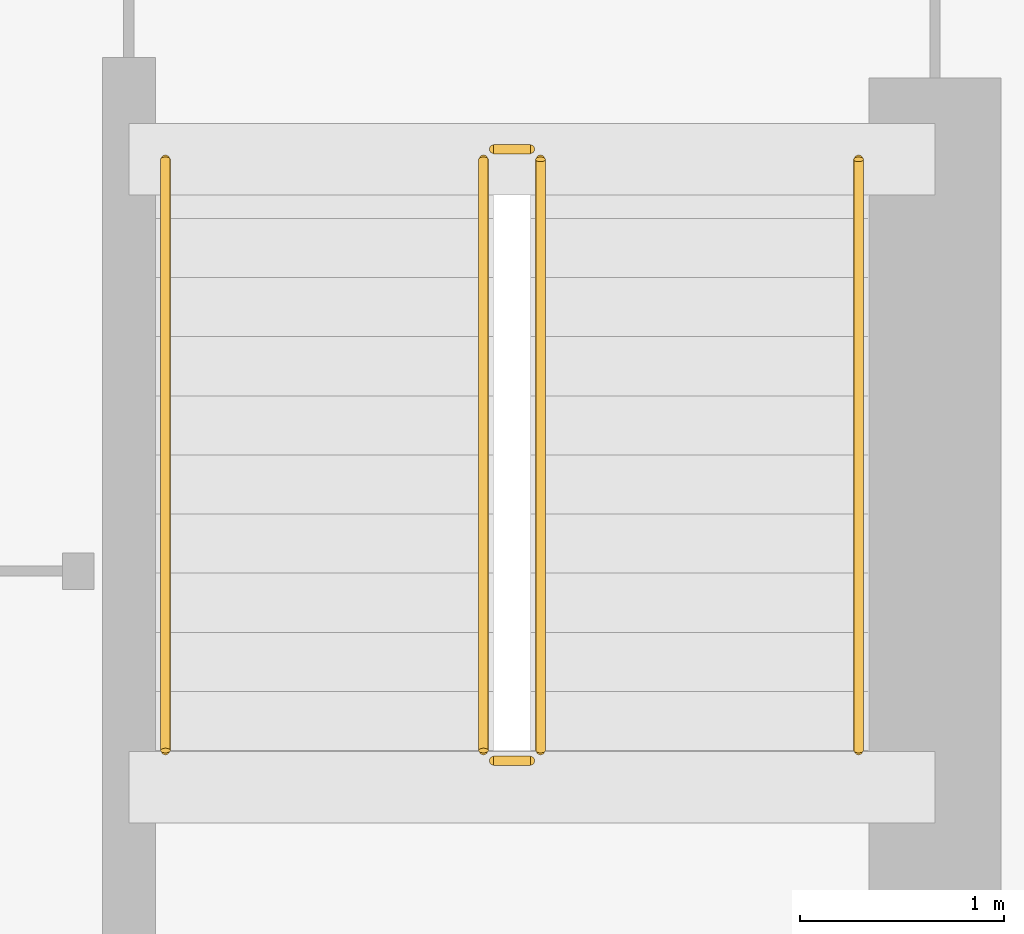
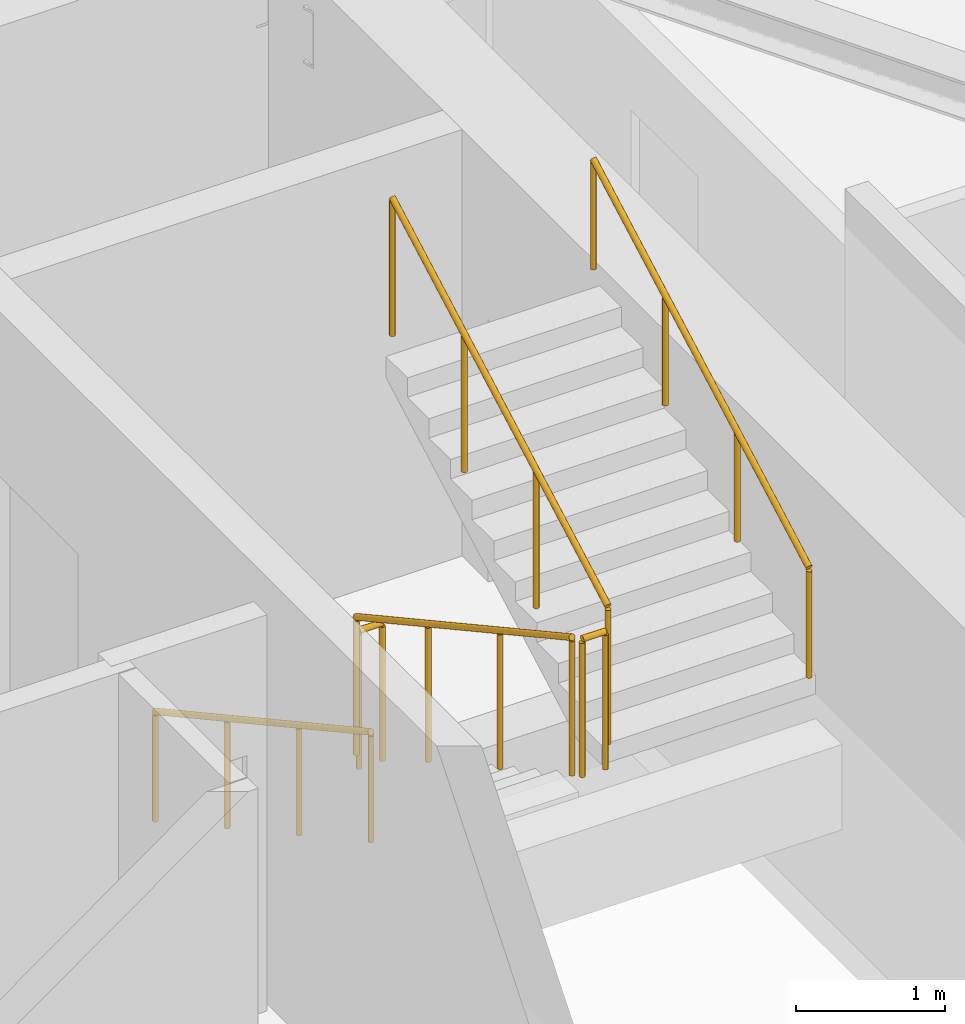
# One storey, part 9 of 9: 6 railings.
"""IFC4 building model written with IfcOpenShell, lengths in metres."""

import ifcopenshell
import ifcopenshell.guid

model = None  # the IFC model being written
_history = None  # IfcOwnerHistory: only IFC2X3 demands one
_inside = {}  # id of a spatial element -> (the spatial element, [elements in it])
_under = {}  # id of a project, library or spatial element -> (it, [spatial elements below it])
_declared = {}  # id of a project -> (the project, [libraries it declares])
_typed = {}  # id of a type object -> (the type object, [elements of that type])
_made_of = {}  # id of a material, layer set ... -> (it, [elements and type objects made of it])


def new_model(schema):
    """Start an empty IFC model of exactly this schema.

    Asked for "IFC4X3", IfcOpenShell would pick the latest addendum, in which some entities
    have other attributes; the version numbers below select the first issue.
    IFC2X3 requires an IfcOwnerHistory on every rooted entity: one is made here for all.
    """
    global model, _history
    if schema == "IFC4X3":
        model = ifcopenshell.file(schema_version=(4, 3, 0, 0))
    else:
        model = ifcopenshell.file(schema=schema)
    _inside.clear()
    _under.clear()
    _declared.clear()
    _typed.clear()
    _made_of.clear()
    _history = None
    if model.schema == "IFC2X3":
        org = make("IfcOrganization", Name="unknown")
        user = make(
            "IfcPersonAndOrganization",
            ThePerson=make("IfcPerson", FamilyName="unknown"),
            TheOrganization=org,
        )
        app = make(
            "IfcApplication",
            ApplicationDeveloper=org,
            Version="unknown",
            ApplicationFullName="unknown",
            ApplicationIdentifier="unknown",
        )
        _history = make(
            "IfcOwnerHistory",
            OwningUser=user,
            OwningApplication=app,
            ChangeAction="ADDED",
            CreationDate=0,
        )
    return model


def make(cls, **values):
    """One entity of the class cls with the attributes given. An attribute that is None is left unset."""
    return model.create_entity(
        cls, **{name: value for name, value in values.items() if value is not None}
    )


def rooted(cls, **values):
    """An entity with a GlobalId (a new one), such as an element, a storey or a relation."""
    return make(cls, GlobalId=ifcopenshell.guid.new(), OwnerHistory=_history, **values)


def si_unit(unit_type, name, prefix=None):
    """IfcSIUnit, for example si_unit("LENGTHUNIT", "METRE", prefix="MILLI")."""
    return make("IfcSIUnit", UnitType=unit_type, Prefix=prefix, Name=name)


def assignment(units):
    """IfcUnitAssignment: the units of a project."""
    return None if units is None else make("IfcUnitAssignment", Units=units)


def point(xyz):
    """IfcCartesianPoint."""
    return None if xyz is None else make("IfcCartesianPoint", Coordinates=xyz)


def direction(xyz):
    """IfcDirection."""
    return None if xyz is None else make("IfcDirection", DirectionRatios=xyz)


def frame(location, z_axis=None, x_axis=None):
    """IfcAxis2Placement3D, a coordinate frame: its origin and axes. An axis left out is left unset."""
    return make(
        "IfcAxis2Placement3D",
        Location=point(location),
        Axis=direction(z_axis),
        RefDirection=direction(x_axis),
    )


def frame_2d(location, x_axis=None):
    """IfcAxis2Placement2D, a coordinate frame in the plane: its origin and x axis."""
    return make(
        "IfcAxis2Placement2D", Location=point(location), RefDirection=direction(x_axis)
    )


def origin():
    """The frame at (0, 0, 0) with its axes left unset."""
    return frame((0.0, 0.0, 0.0))


def origin_2d():
    """The frame at (0, 0) in the plane with its x axis left unset."""
    return frame_2d((0.0, 0.0))


def place(relative_to, where):
    """IfcLocalPlacement: puts the frame where relative to a parent placement (None: the world)."""
    return make(
        "IfcLocalPlacement", PlacementRelTo=relative_to, RelativePlacement=where
    )


def context(
    kind, dimensions, precision=None, world=None, true_north=None, identifier=None
):
    """IfcGeometricRepresentationContext, for example the 3D "Model" context."""
    return make(
        "IfcGeometricRepresentationContext",
        ContextIdentifier=identifier,
        ContextType=kind,
        CoordinateSpaceDimension=dimensions,
        Precision=precision,
        WorldCoordinateSystem=world,
        TrueNorth=true_north,
    )


def subcontext(parent, identifier, kind, view, scale=None):
    """IfcGeometricRepresentationSubContext, for example "Body" below "Model"."""
    return make(
        "IfcGeometricRepresentationSubContext",
        ContextIdentifier=identifier,
        ContextType=kind,
        ParentContext=parent,
        TargetScale=scale,
        TargetView=view,
    )


def project(units=None, contexts=None):
    """IfcProject with its units and contexts."""
    return rooted(
        "IfcProject",
        Name="project",
        RepresentationContexts=contexts,
        UnitsInContext=assignment(units),
    )


def spatial(cls, under=None, at=None, **own):
    """A site, building, storey or space (cls), placed at a placement, below another one or the project."""
    s = rooted(cls, ObjectPlacement=at, **own)
    if under is not None:
        _under.setdefault(under.id(), (under, []))[1].append(s)
    return s


def profile(cls, at=None, kind="AREA", **sizes):
    """A parametric profile (cls). Its sizes go by their IFC names, for example OverallWidth=200.0."""
    return make(cls, ProfileType=kind, Position=at, **sizes)


def circle(**sizes):
    """IfcCircleProfileDef."""
    return profile("IfcCircleProfileDef", **sizes)


def extrude(swept, where, along, depth):
    """IfcExtrudedAreaSolid: the profile swept, set in the frame where, extruded along a direction by depth."""
    return make(
        "IfcExtrudedAreaSolid",
        SweptArea=swept,
        Position=where,
        ExtrudedDirection=direction(along),
        Depth=depth,
    )


def shape(context_of_items, identifier, shape_type, items):
    """IfcShapeRepresentation: the items that make up one representation, for example the "Body"."""
    return make(
        "IfcShapeRepresentation",
        ContextOfItems=context_of_items,
        RepresentationIdentifier=identifier,
        RepresentationType=shape_type,
        Items=items,
    )


def material(Name=None, Category=None):
    """IfcMaterial."""
    return make("IfcMaterial", Name=Name, Category=Category)


def made_of(thing, what):
    """Note that an element or type object is made of a material, layer set ...; save() writes the relation."""
    if what is not None:
        _made_of.setdefault(what.id(), (what, []))[1].append(thing)
    return thing


def type_object(cls, material=None, **own):
    """A type object (cls), such as IfcWallType, which elements share."""
    return made_of(rooted(cls, **own), material)


def element(
    cls,
    number,
    at=None,
    inside=None,
    cuts=None,
    type_object=None,
    material=None,
    context=None,
    identifier="Body",
    shape_type=None,
    held_by="IfcProductDefinitionShape",
    body=None,
    shapes=None,
    **own,
):
    """One element of the class cls, such as IfcWall. Its Tag is "e" and its number.

    at: its placement. inside: the storey or other place that contains it. cuts: it is an
    opening in that element (IfcRelVoidsElement). A single representation is given by context,
    identifier, shape_type and body (its items); several are given by shapes. held_by: the class
    of the entity that holds the representations. save() writes the other relations.
    """
    e = rooted(cls, Tag="e%d" % number, ObjectPlacement=at, **own)
    if body is not None:
        shapes = [shape(context, identifier, shape_type, body)]
    if shapes is not None:
        e.Representation = make(held_by, Representations=shapes)
    if inside is not None:
        _inside.setdefault(inside.id(), (inside, []))[1].append(e)
    if cuts is not None:
        rooted(
            "IfcRelVoidsElement", RelatingBuildingElement=cuts, RelatedOpeningElement=e
        )
    if type_object is not None:
        _typed.setdefault(type_object.id(), (type_object, []))[1].append(e)
    return made_of(e, material)


def aggregate(whole, parts):
    """IfcRelAggregates: a whole, such as a stair, and the parts it consists of."""
    return rooted("IfcRelAggregates", RelatingObject=whole, RelatedObjects=parts)


def save(model, path):
    """Write the relations noted so far, then the file.

    IfcRelAggregates (storeys below a building ...), IfcRelContainedInSpatialStructure (elements
    in a storey), IfcRelDefinesByType, IfcRelAssociatesMaterial and IfcRelDeclares: one each for
    every whole, place, type object, material and project.
    """
    for whole, parts in _under.values():
        aggregate(whole, parts)
    for where, things in _inside.values():
        rooted(
            "IfcRelContainedInSpatialStructure",
            RelatedElements=things,
            RelatingStructure=where,
        )
    for kind, things in _typed.values():
        rooted("IfcRelDefinesByType", RelatedObjects=things, RelatingType=kind)
    for what, things in _made_of.values():
        rooted("IfcRelAssociatesMaterial", RelatedObjects=things, RelatingMaterial=what)
    for by, libraries in _declared.values():
        rooted("IfcRelDeclares", RelatingContext=by, RelatedDefinitions=libraries)
    model.write(path)


model = new_model("IFC4")

# Units and contexts
model_context = context("Model", 3, precision=1e-05, world=origin(), true_north=direction((0.0, 1.0)))
body_context = subcontext(model_context, "Body", "Model", "MODEL_VIEW")
ifc_project = project(units=[si_unit("LENGTHUNIT", "METRE"), si_unit("AREAUNIT", "SQUARE_METRE"), si_unit("VOLUMEUNIT", "CUBIC_METRE"), si_unit("PLANEANGLEUNIT", "RADIAN"), si_unit("MASSUNIT", "GRAM", prefix="KILO")], contexts=[model_context])

# Site, building, storey
site_placement = place(None, origin())
site = spatial("IfcSite", under=ifc_project, at=site_placement, CompositionType="ELEMENT")
building_placement = place(site_placement, origin())
building = spatial("IfcBuilding", under=site, at=building_placement, Name="Calvemar Wedge Station Tower", CompositionType="ELEMENT")
storey_placement = place(building_placement, frame((0.0, 0.0, 228.89990234375)))
storey = spatial("IfcBuildingStorey", under=building, at=storey_placement, Name="L58", CompositionType="ELEMENT", Elevation=228.89990234375)

# Railings
ifc_material_1 = material(Name="Stainless steel AISI 316L", Category="steel")
railing_type_1 = type_object("IfcRailingType", Name="RL-HANDRAIL-920", PredefinedType="HANDRAIL", material=ifc_material_1)
railing_1_placement = place(storey_placement, frame((27.550048828125, 41.14990234375, 0.1591796875)))
element("IfcRailing", 1, at=railing_1_placement, inside=storey, type_object=railing_type_1, Name="L58 ST-C2 stair handrail 1", PredefinedType="HANDRAIL", context=body_context, shape_type="SweptSolid", body=[
    extrude(circle(Radius=0.02392578125, at=origin_2d()), frame((0.0, 0.0, 0.89599609375), z_axis=(0.0, -0.876742130028, 0.480960744171), x_axis=(1.0, 0.0, 0.0)), (0.0, 0.0, 1.0), 3.3076171875),
    extrude(circle(Radius=0.02099609375, at=origin_2d()), origin(), (0.0, 0.0, 1.0), 0.871826171875),
    extrude(circle(Radius=0.02099609375, at=origin_2d()), frame((0.0, -0.966552734375, 0.5302734375)), (0.0, 0.0, 1.0), 0.871826171875),
    extrude(circle(Radius=0.02099609375, at=origin_2d()), frame((0.0, -1.933349609375, 1.060546875)), (0.0, 0.0, 1.0), 0.871826171875),
    extrude(circle(Radius=0.02099609375, at=origin_2d()), frame((0.0, -2.89990234375, 1.5908203125)), (0.0, 0.0, 1.0), 0.871826171875),
])
railing_2_placement = place(storey_placement, frame((30.949951171875, 38.25, 1.9091796875)))
element("IfcRailing", 2, at=railing_2_placement, inside=storey, type_object=railing_type_1, Name="L58 ST-C2 stair handrail 2", PredefinedType="HANDRAIL", context=body_context, shape_type="SweptSolid", body=[
    extrude(circle(Radius=0.02392578125, at=origin_2d()), frame((0.0, 0.0, 0.89599609375), z_axis=(0.0, 0.876742130028, 0.480960744171), x_axis=(-1.0, 0.0, 0.0)), (0.0, 0.0, 1.0), 3.3076171875),
    extrude(circle(Radius=0.02099609375, at=origin_2d()), origin(), (0.0, 0.0, 1.0), 0.871826171875),
    extrude(circle(Radius=0.02099609375, at=origin_2d()), frame((0.0, 0.966552734375, 0.5302734375)), (0.0, 0.0, 1.0), 0.871826171875),
    extrude(circle(Radius=0.02099609375, at=origin_2d()), frame((0.0, 1.933349609375, 1.060546875)), (0.0, 0.0, 1.0), 0.871826171875),
    extrude(circle(Radius=0.02099609375, at=origin_2d()), frame((0.0, 2.89990234375, 1.5908203125)), (0.0, 0.0, 1.0), 0.871826171875),
])
ifc_material_2 = material(Name="Painted steel guardrail ASTM A500 Grade C", Category="steel")
railing_type_2 = type_object("IfcRailingType", Name="RL-STAIR-GUARD-1150", PredefinedType="GUARDRAIL", material=ifc_material_2)
railing_3_placement = place(storey_placement, frame((29.110107421875, 41.14990234375, 0.1591796875)))
element("IfcRailing", 3, at=railing_3_placement, inside=storey, type_object=railing_type_2, Name="L58 ST-C2 stair guard 1", PredefinedType="GUARDRAIL", context=body_context, shape_type="SweptSolid", body=[
    extrude(circle(Radius=0.02392578125, at=origin_2d()), frame((0.0, 0.0, 1.1259765625), z_axis=(0.0, -0.876742130028, 0.480960744171), x_axis=(1.0, 0.0, 0.0)), (0.0, 0.0, 1.0), 3.3076171875),
    extrude(circle(Radius=0.02099609375, at=origin_2d()), origin(), (0.0, 0.0, 1.0), 1.101806640625),
    extrude(circle(Radius=0.02099609375, at=origin_2d()), frame((0.0, -0.966552734375, 0.5302734375)), (0.0, 0.0, 1.0), 1.101806640625),
    extrude(circle(Radius=0.02099609375, at=origin_2d()), frame((0.0, -1.933349609375, 1.060546875)), (0.0, 0.0, 1.0), 1.101806640625),
    extrude(circle(Radius=0.02099609375, at=origin_2d()), frame((0.0, -2.89990234375, 1.5908203125)), (0.0, 0.0, 1.0), 1.101806640625),
])
railing_4_placement = place(storey_placement, frame((29.159912109375, 38.199951171875, 1.75)))
element("IfcRailing", 4, at=railing_4_placement, inside=storey, type_object=railing_type_2, Name="L58 ST-C2 stair guard 2", PredefinedType="GUARDRAIL", context=body_context, shape_type="SweptSolid", body=[
    extrude(circle(Radius=0.02392578125, at=origin_2d()), frame((0.0, 0.0, 1.1259765625), z_axis=(1.0, 0.0, 0.0), x_axis=(0.0, 1.0, 0.0)), (0.0, 0.0, 1.0), 0.18017578125),
    extrude(circle(Radius=0.02099609375, at=origin_2d()), origin(), (0.0, 0.0, 1.0), 1.101806640625),
    extrude(circle(Radius=0.02099609375, at=origin_2d()), frame((0.18017578125, 0.0, 0.0)), (0.0, 0.0, 1.0), 1.101806640625),
])
railing_5_placement = place(storey_placement, frame((29.389892578125, 38.25, 1.9091796875)))
element("IfcRailing", 5, at=railing_5_placement, inside=storey, type_object=railing_type_2, Name="L58 ST-C2 stair guard 3", PredefinedType="GUARDRAIL", context=body_context, shape_type="SweptSolid", body=[
    extrude(circle(Radius=0.02392578125, at=origin_2d()), frame((0.0, 0.0, 1.1259765625), z_axis=(0.0, 0.876742130028, 0.480960744171), x_axis=(-1.0, 0.0, 0.0)), (0.0, 0.0, 1.0), 3.3076171875),
    extrude(circle(Radius=0.02099609375, at=origin_2d()), origin(), (0.0, 0.0, 1.0), 1.101806640625),
    extrude(circle(Radius=0.02099609375, at=origin_2d()), frame((0.0, 0.966552734375, 0.5302734375)), (0.0, 0.0, 1.0), 1.101806640625),
    extrude(circle(Radius=0.02099609375, at=origin_2d()), frame((0.0, 1.933349609375, 1.060546875)), (0.0, 0.0, 1.0), 1.101806640625),
    extrude(circle(Radius=0.02099609375, at=origin_2d()), frame((0.0, 2.89990234375, 1.5908203125)), (0.0, 0.0, 1.0), 1.101806640625),
])
railing_6_placement = place(storey_placement, frame((29.159912109375, 41.199951171875, 0.0)))
element("IfcRailing", 6, at=railing_6_placement, inside=storey, type_object=railing_type_2, Name="L58 ST-C2 stair guard 4", PredefinedType="GUARDRAIL", context=body_context, shape_type="SweptSolid", body=[
    extrude(circle(Radius=0.02392578125, at=origin_2d()), frame((0.0, 0.0, 1.1259765625), z_axis=(1.0, 0.0, 0.0), x_axis=(0.0, 1.0, 0.0)), (0.0, 0.0, 1.0), 0.18017578125),
    extrude(circle(Radius=0.02099609375, at=origin_2d()), origin(), (0.0, 0.0, 1.0), 1.101806640625),
    extrude(circle(Radius=0.02099609375, at=origin_2d()), frame((0.18017578125, 0.0, 0.0)), (0.0, 0.0, 1.0), 1.101806640625),
])

save(model, "model.ifc")
